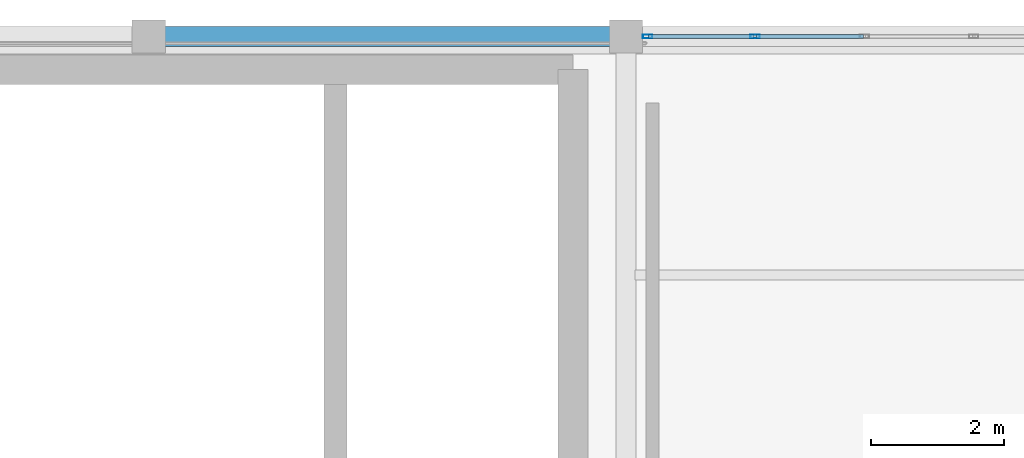
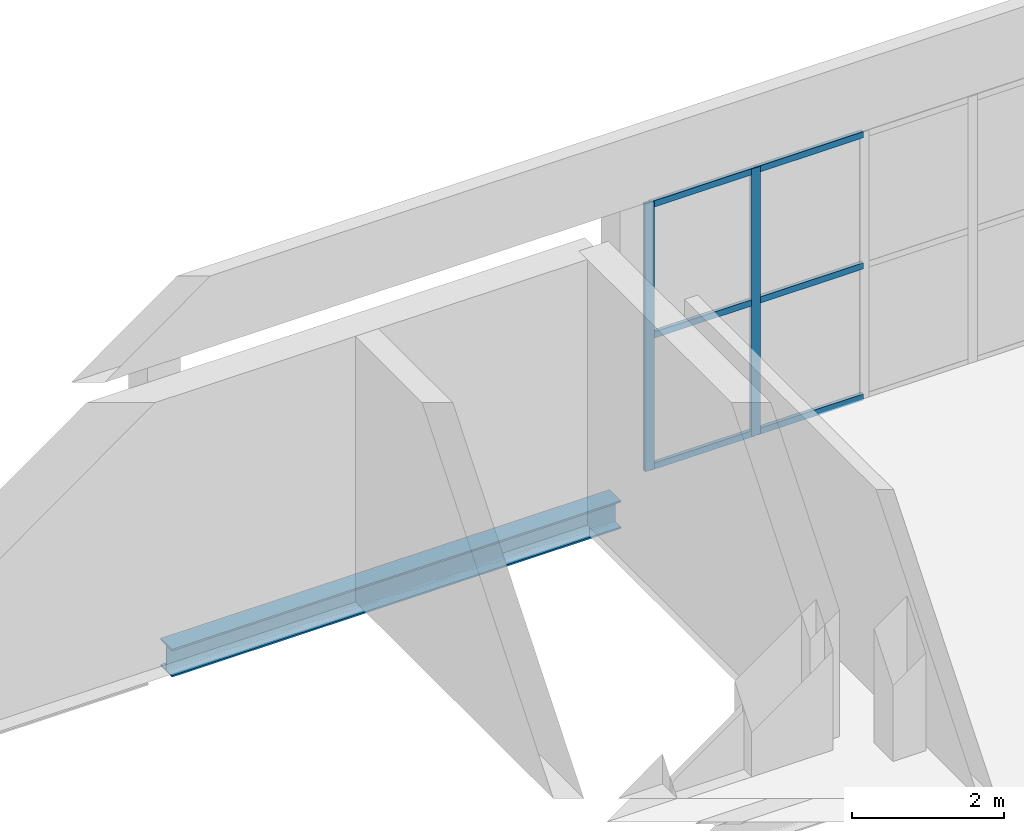
# One storey, part 33 of 64: 8 members, 1 beam, 1 element without a shape of its own.
"""IFC4 building model written with IfcOpenShell, lengths in metres."""

from ifc_helpers import new_model, si_unit, direction, frame, origin, origin_2d, place, context, subcontext, project, spatial, hollow_rectangle, i_section, extrude, material, material_profile, profile_set, type_object, element, aggregate, save


model = new_model("IFC4")

# Units and contexts
model_context = context("Model", 3, precision=1e-05, world=origin(), true_north=direction((0.0, 1.0)))
body_context = subcontext(model_context, "Body", "Model", "MODEL_VIEW")
ifc_project = project(units=[si_unit("LENGTHUNIT", "METRE"), si_unit("AREAUNIT", "SQUARE_METRE"), si_unit("VOLUMEUNIT", "CUBIC_METRE"), si_unit("PLANEANGLEUNIT", "RADIAN"), si_unit("MASSUNIT", "GRAM", prefix="KILO")], contexts=[model_context])

# Site, building, storey
site_placement = place(None, origin())
site = spatial("IfcSite", under=ifc_project, at=site_placement, CompositionType="ELEMENT")
building_placement = place(site_placement, origin())
building = spatial("IfcBuilding", under=site, at=building_placement, Name="Qandorah Velis Arena", CompositionType="ELEMENT")
storey_placement = place(building_placement, frame((0.0, 0.0, 23.0)))
storey = spatial("IfcBuildingStorey", under=building, at=storey_placement, Name="L05", CompositionType="ELEMENT", Elevation=23.0)

# Curtain wall, members
ifc_material_1 = material(Name="Solar-control low-E double glazing", Category="glass")
curtain_wall_type = type_object("IfcCurtainWallType", Name="ARC-CW-SYS04", PredefinedType="USERDEFINED", material=ifc_material_1)
curtain_wall_placement = place(storey_placement, origin())
curtain_wall = element("IfcCurtainWall", 1, at=curtain_wall_placement, inside=storey, type_object=curtain_wall_type, Name="Unitised curtain wall L05-100", ObjectType="UNITISED CURTAIN WALL", PredefinedType="USERDEFINED")
ifc_material_2 = material(Name="Champagne-bronze anodized aluminium 6063-T6", Category="aluminium")
ifc_material_profile_1 = material_profile(ifc_material_2, hollow_rectangle(XDim=0.054931640625, YDim=0.139892578125, WallThickness=0.0029296875, at=origin_2d()), Name="ALU MULLION 55x140")
ifc_profile_set_1 = profile_set([ifc_material_profile_1], Name="Champagne-bronze anodized aluminium 6063-T6")
member_type_1 = type_object("IfcMemberType", Name="ARC-CWM-140", PredefinedType="MULLION", material=ifc_profile_set_1)
member_1_placement = place(storey_placement, frame((43.527587890625, 129.60009765625, -0.014892578125), z_axis=(0.0, 0.0, 1.0), x_axis=(0.0, 1.0, 0.0)))
member_1 = element("IfcMember", 2, at=member_1_placement, type_object=member_type_1, Name="CW04 mullion 1", PredefinedType="MULLION", context=body_context, shape_type="SweptSolid", body=[
    extrude(hollow_rectangle(XDim=0.054931640625, YDim=0.139892578125, WallThickness=0.0029296875, at=origin_2d()), origin(), (0.0, 0.0, 1.0), 4.309814453125),
])
member_2_placement = place(storey_placement, frame((45.14990234375, 129.60009765625, -0.014892578125), z_axis=(0.0, 0.0, 1.0), x_axis=(0.0, 1.0, 0.0)))
member_2 = element("IfcMember", 3, at=member_2_placement, type_object=member_type_1, Name="CW04 mullion 2", PredefinedType="MULLION", context=body_context, shape_type="SweptSolid", body=[
    extrude(hollow_rectangle(XDim=0.054931640625, YDim=0.139892578125, WallThickness=0.0029296875, at=origin_2d()), origin(), (0.0, 0.0, 1.0), 4.309814453125),
])
ifc_material_profile_2 = material_profile(ifc_material_2, hollow_rectangle(XDim=0.054931640625, YDim=0.10009765625, WallThickness=0.0029296875, at=origin_2d()), Name="ALU TRANSOM 55x100")
ifc_profile_set_2 = profile_set([ifc_material_profile_2], Name="Champagne-bronze anodized aluminium 6063-T6")
member_type_2 = type_object("IfcMemberType", Name="ARC-CWT-100", PredefinedType="USERDEFINED", material=ifc_profile_set_2)
member_3_placement = place(storey_placement, frame((43.54296875, 129.60009765625, 0.027587890625), z_axis=(1.0, 0.0, 0.0), x_axis=(0.0, 1.0, 0.0)))
member_3 = element("IfcMember", 4, at=member_3_placement, type_object=member_type_2, Name="CW04 transom 1.1", ObjectType="TRANSOM", PredefinedType="USERDEFINED", context=body_context, shape_type="SweptSolid", body=[
    extrude(hollow_rectangle(XDim=0.054931640625, YDim=0.10009765625, WallThickness=0.0029296875, at=origin_2d()), origin(), (0.0, 0.0, 1.0), 1.591552734375),
])
member_4_placement = place(storey_placement, frame((43.54296875, 129.60009765625, 2.139892578125), z_axis=(1.0, 0.0, 0.0), x_axis=(0.0, 1.0, 0.0)))
member_4 = element("IfcMember", 5, at=member_4_placement, type_object=member_type_2, Name="CW04 transom 1.2", ObjectType="TRANSOM", PredefinedType="USERDEFINED", context=body_context, shape_type="SweptSolid", body=[
    extrude(hollow_rectangle(XDim=0.054931640625, YDim=0.10009765625, WallThickness=0.0029296875, at=origin_2d()), origin(), (0.0, 0.0, 1.0), 1.591552734375),
])
member_5_placement = place(storey_placement, frame((43.54296875, 129.60009765625, 4.25244140625), z_axis=(1.0, 0.0, 0.0), x_axis=(0.0, 1.0, 0.0)))
member_5 = element("IfcMember", 6, at=member_5_placement, type_object=member_type_2, Name="CW04 transom 1.3", ObjectType="TRANSOM", PredefinedType="USERDEFINED", context=body_context, shape_type="SweptSolid", body=[
    extrude(hollow_rectangle(XDim=0.054931640625, YDim=0.10009765625, WallThickness=0.0029296875, at=origin_2d()), origin(), (0.0, 0.0, 1.0), 1.591552734375),
])
member_6_placement = place(storey_placement, frame((45.16552734375, 129.60009765625, 0.027587890625), z_axis=(1.0, 0.0, 0.0), x_axis=(0.0, 1.0, 0.0)))
member_6 = element("IfcMember", 7, at=member_6_placement, type_object=member_type_2, Name="CW04 transom 2.1", ObjectType="TRANSOM", PredefinedType="USERDEFINED", context=body_context, shape_type="SweptSolid", body=[
    extrude(hollow_rectangle(XDim=0.054931640625, YDim=0.10009765625, WallThickness=0.0029296875, at=origin_2d()), origin(), (0.0, 0.0, 1.0), 1.618896484375),
])
member_7_placement = place(storey_placement, frame((45.16552734375, 129.60009765625, 2.139892578125), z_axis=(1.0, 0.0, 0.0), x_axis=(0.0, 1.0, 0.0)))
member_7 = element("IfcMember", 8, at=member_7_placement, type_object=member_type_2, Name="CW04 transom 2.2", ObjectType="TRANSOM", PredefinedType="USERDEFINED", context=body_context, shape_type="SweptSolid", body=[
    extrude(hollow_rectangle(XDim=0.054931640625, YDim=0.10009765625, WallThickness=0.0029296875, at=origin_2d()), origin(), (0.0, 0.0, 1.0), 1.618896484375),
])
member_8_placement = place(storey_placement, frame((45.16552734375, 129.60009765625, 4.25244140625), z_axis=(1.0, 0.0, 0.0), x_axis=(0.0, 1.0, 0.0)))
member_8 = element("IfcMember", 9, at=member_8_placement, type_object=member_type_2, Name="CW04 transom 2.3", ObjectType="TRANSOM", PredefinedType="USERDEFINED", context=body_context, shape_type="SweptSolid", body=[
    extrude(hollow_rectangle(XDim=0.054931640625, YDim=0.10009765625, WallThickness=0.0029296875, at=origin_2d()), origin(), (0.0, 0.0, 1.0), 1.618896484375),
])
aggregate(curtain_wall, [member_1, member_2, member_3, member_4, member_5, member_6, member_7, member_8])

# Beam
ifc_material_3 = material(Name="Steel S355", Category="steel")
ifc_material_profile_3 = material_profile(ifc_material_3, i_section(OverallWidth=0.300048828125, OverallDepth=0.449951171875, WebThickness=0.013916015625, FlangeThickness=0.02587890625, FilletRadius=0.027099609375, at=origin_2d()), Name="HEB 450")
ifc_profile_set_3 = profile_set([ifc_material_profile_3], Name="Steel S355")
beam_type = type_object("IfcBeamType", Name="STR-BM-HEB450", PredefinedType="BEAM", material=ifc_profile_set_3)
beam_placement = place(storey_placement, frame((36.178466796875, 129.60009765625, -0.47509765625), z_axis=(1.0, 0.0, 0.0), x_axis=(0.0, 1.0, 0.0)))
element("IfcBeam", 10, at=beam_placement, inside=storey, type_object=beam_type, Name="Primary floor girder L05 X-106", PredefinedType="BEAM", context=body_context, shape_type="SweptSolid", body=[
    extrude(i_section(OverallWidth=0.300048828125, OverallDepth=0.449951171875, WebThickness=0.013916015625, FlangeThickness=0.02587890625, FilletRadius=0.027099609375, at=origin_2d()), origin(), (0.0, 0.0, 1.0), 6.843017578125),
])

save(model, "model.ifc")
